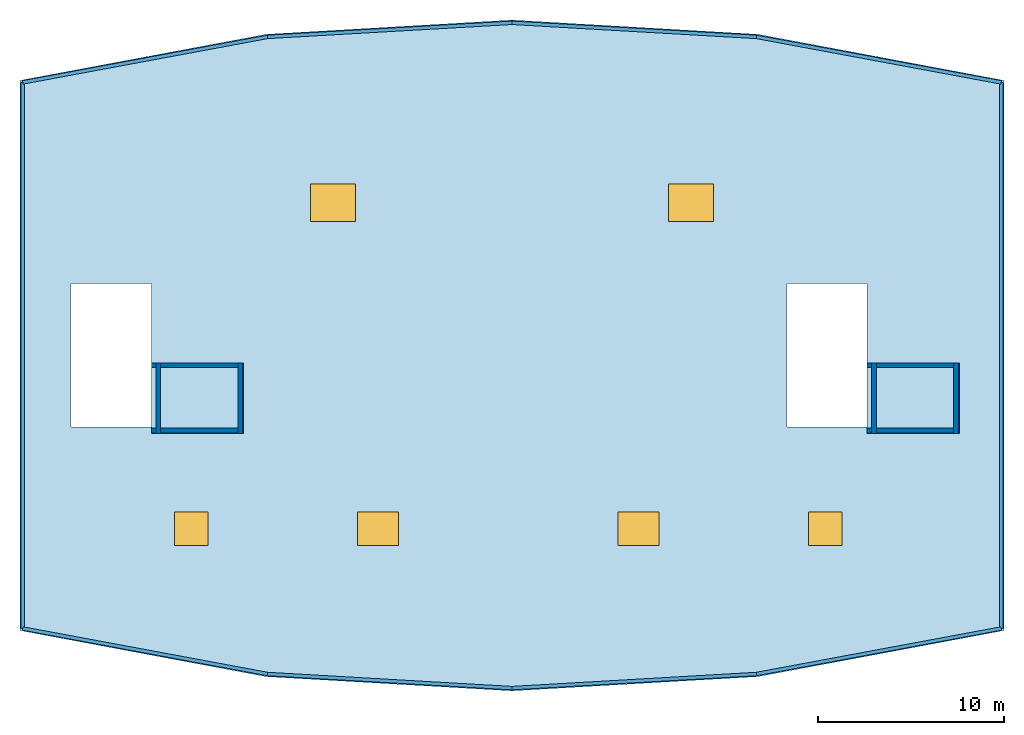
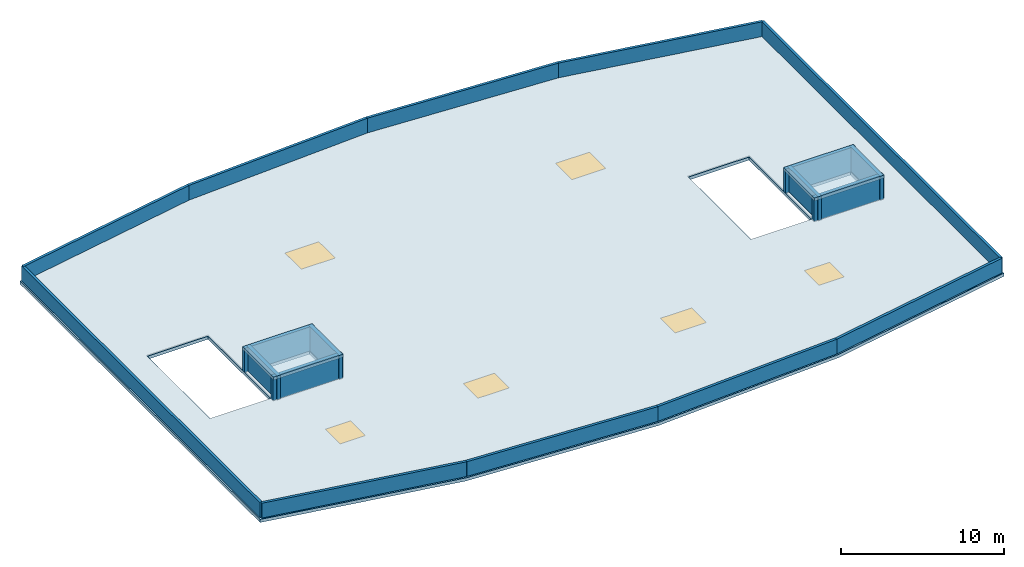
"""IFC4 building model written with IfcOpenShell, lengths in metres."""

from ifc_helpers import new_model, si_unit, direction, frame, frame_2d, origin, origin_2d, place, context, subcontext, project, spatial, polyline, rectangle, outline, extrude, material, layer, layer_set, type_object, element, fill, save


model = new_model("IFC4")

# Units and contexts
model_context = context("Model", 3, precision=1e-05, world=origin(), true_north=direction((0.0, 1.0)))
body_context = subcontext(model_context, "Body", "Model", "MODEL_VIEW")
ifc_project = project(units=[si_unit("LENGTHUNIT", "METRE"), si_unit("AREAUNIT", "SQUARE_METRE"), si_unit("VOLUMEUNIT", "CUBIC_METRE"), si_unit("PLANEANGLEUNIT", "RADIAN"), si_unit("MASSUNIT", "GRAM", prefix="KILO")], contexts=[model_context])

# Site, building, storey
site_placement = place(None, origin())
site = spatial("IfcSite", under=ifc_project, at=site_placement, CompositionType="ELEMENT")
building_placement = place(site_placement, origin())
building = spatial("IfcBuilding", under=site, at=building_placement, Name="Kolvemor Railside Polytechnic", CompositionType="ELEMENT")
storey_1_placement = place(building_placement, frame((0.0, 0.0, 31.800048828125)))
storey_1 = spatial("IfcBuildingStorey", under=building, at=storey_1_placement, Name="RF", CompositionType="ELEMENT", Elevation=31.800048828125)

# Slab, openings
ifc_material_1 = material(Name="Cross-laminated timber CLT E1", Category="wood")
ifc_layer_1 = layer(ifc_material_1, 0.235107421875, Name="SLB-TOP-ROOF")
ifc_layer_set_1 = layer_set([ifc_layer_1], Name="Cross-laminated timber CLT E1")
slab_type = type_object("IfcSlabType", Name="SLB-TOP-ROOF", PredefinedType="ROOF", material=ifc_layer_set_1)
slab_1_placement = place(storey_1_placement, frame((0.0, 0.0, -0.235107421875)))
slab_1 = element("IfcSlab", 1, at=slab_1_placement, inside=storey_1, type_object=slab_type, Name="Learning Commons Parametric Curved Roof Slab", PredefinedType="ROOF", context=body_context, shape_type="SweptSolid", body=[
    extrude(outline(polyline([(64.800048828125, 11.0400390625), (78.0, 8.56591796875), (91.199951171875, 7.800048828125), (104.39990234375, 8.56591796875), (117.60009765625, 11.0400390625), (117.60009765625, 40.56005859375), (104.39990234375, 43.033935546875), (91.199951171875, 43.800048828125), (78.0, 43.033935546875), (64.800048828125, 40.56005859375), (64.800048828125, 11.0400390625)]), holes=[polyline([(67.550048828125, 21.949951171875), (71.85009765625, 21.949951171875), (71.85009765625, 29.64990234375), (67.550048828125, 29.64990234375), (67.550048828125, 21.949951171875)]), polyline([(72.10009765625, 21.949951171875), (76.449951171875, 21.949951171875), (76.449951171875, 25.14990234375), (72.10009765625, 25.14990234375), (72.10009765625, 21.949951171875)]), polyline([(105.949951171875, 21.949951171875), (110.25, 21.949951171875), (110.25, 29.64990234375), (105.949951171875, 29.64990234375), (105.949951171875, 21.949951171875)]), polyline([(110.5, 21.949951171875), (114.85009765625, 21.949951171875), (114.85009765625, 25.14990234375), (110.5, 25.14990234375), (110.5, 21.949951171875)]), polyline([(73.10009765625, 15.60009765625), (74.89990234375, 15.60009765625), (74.89990234375, 17.39990234375), (73.10009765625, 17.39990234375), (73.10009765625, 15.60009765625)]), polyline([(82.89990234375, 15.60009765625), (85.10009765625, 15.60009765625), (85.10009765625, 17.39990234375), (82.89990234375, 17.39990234375), (82.89990234375, 15.60009765625)]), polyline([(96.89990234375, 15.60009765625), (99.10009765625, 15.60009765625), (99.10009765625, 17.39990234375), (96.89990234375, 17.39990234375), (96.89990234375, 15.60009765625)]), polyline([(107.10009765625, 15.60009765625), (108.89990234375, 15.60009765625), (108.89990234375, 17.39990234375), (107.10009765625, 17.39990234375), (107.10009765625, 15.60009765625)]), polyline([(80.39990234375, 33.0), (82.800048828125, 33.0), (82.800048828125, 35.0), (80.39990234375, 35.0), (80.39990234375, 33.0)]), polyline([(99.60009765625, 33.0), (102.0, 33.0), (102.0, 35.0), (99.60009765625, 35.0), (99.60009765625, 33.0)])]), origin(), (0.0, 0.0, 1.0), 0.235107421875),
])
opening_1_placement = place(slab_1_placement, frame((74.0, 16.5, 0.0)))
opening_1 = element("IfcOpeningElement", 2, at=opening_1_placement, cuts=slab_1, Name="Opening SKY-1", PredefinedType="OPENING", context=body_context, shape_type="SweptSolid", body=[
    extrude(rectangle(XDim=1.800048828125, YDim=1.800048828125, at=origin_2d()), origin(), (0.0, 0.0, 1.0), 0.235107421875),
])
opening_2_placement = place(slab_1_placement, frame((84.0, 16.5, 0.0)))
opening_2 = element("IfcOpeningElement", 3, at=opening_2_placement, cuts=slab_1, Name="Opening SKY-2", PredefinedType="OPENING", context=body_context, shape_type="SweptSolid", body=[
    extrude(rectangle(XDim=2.199951171875, YDim=1.800048828125, at=origin_2d()), origin(), (0.0, 0.0, 1.0), 0.235107421875),
])
opening_3_placement = place(slab_1_placement, frame((98.0, 16.5, 0.0)))
opening_3 = element("IfcOpeningElement", 4, at=opening_3_placement, cuts=slab_1, Name="Opening SKY-2", PredefinedType="OPENING", context=body_context, shape_type="SweptSolid", body=[
    extrude(rectangle(XDim=2.199951171875, YDim=1.800048828125, at=origin_2d()), origin(), (0.0, 0.0, 1.0), 0.235107421875),
])
opening_4_placement = place(slab_1_placement, frame((108.0, 16.5, 0.0)))
opening_4 = element("IfcOpeningElement", 5, at=opening_4_placement, cuts=slab_1, Name="Opening SKY-1", PredefinedType="OPENING", context=body_context, shape_type="SweptSolid", body=[
    extrude(rectangle(XDim=1.800048828125, YDim=1.800048828125, at=origin_2d()), origin(), (0.0, 0.0, 1.0), 0.235107421875),
])
opening_5_placement = place(slab_1_placement, frame((81.60009765625, 34.0, 0.0)))
opening_5 = element("IfcOpeningElement", 6, at=opening_5_placement, cuts=slab_1, Name="Opening SKY-3", PredefinedType="OPENING", context=body_context, shape_type="SweptSolid", body=[
    extrude(rectangle(XDim=2.39990234375, YDim=2.0, at=origin_2d()), origin(), (0.0, 0.0, 1.0), 0.235107421875),
])
opening_6_placement = place(slab_1_placement, frame((100.800048828125, 34.0, 0.0)))
opening_6 = element("IfcOpeningElement", 7, at=opening_6_placement, cuts=slab_1, Name="Opening SKY-3", PredefinedType="OPENING", context=body_context, shape_type="SweptSolid", body=[
    extrude(rectangle(XDim=2.39990234375, YDim=2.0, at=origin_2d()), origin(), (0.0, 0.0, 1.0), 0.235107421875),
])

# Storey
storey_2_placement = place(building_placement, frame((0.0, 0.0, 27.0)))
storey_2 = spatial("IfcBuildingStorey", under=building, at=storey_2_placement, Name="L06", CompositionType="ELEMENT", Elevation=27.0)

# Window
ifc_material_2 = material(Name="Hurricane-laminated thermally broken aluminium window", Category="aluminium")
window_type_1 = type_object("IfcWindowType", Name="WN-SKY-180x180", PartitioningType="DOUBLE_PANEL_VERTICAL", PredefinedType="SKYLIGHT", material=ifc_material_2)
window_1_placement = place(opening_1_placement, frame((0.0, 0.0, 0.18505859375)))
window_1 = element("IfcWindow", 8, at=window_1_placement, inside=storey_2, type_object=window_type_1, Name="Commons Roof Skylight SKY-01", OverallHeight=1.800048828125, OverallWidth=1.800048828125, PartitioningType="SINGLE_PANEL", PredefinedType="SKYLIGHT", context=body_context, shape_type="SweptSolid", body=[
    extrude(rectangle(XDim=1.800048828125, YDim=1.800048828125, at=origin_2d()), origin(), (0.0, 0.0, 1.0), 0.050048828125),
])

fill(opening_1, window_1)

window_2_placement = place(opening_4_placement, frame((0.0, 0.0, 0.18505859375)))
window_2 = element("IfcWindow", 9, at=window_2_placement, inside=storey_2, type_object=window_type_1, Name="Commons Roof Skylight SKY-04", OverallHeight=1.800048828125, OverallWidth=1.800048828125, PartitioningType="SINGLE_PANEL", PredefinedType="SKYLIGHT", context=body_context, shape_type="SweptSolid", body=[
    extrude(rectangle(XDim=1.800048828125, YDim=1.800048828125, at=origin_2d()), origin(), (0.0, 0.0, 1.0), 0.050048828125),
])

fill(opening_4, window_2)

ifc_material_3 = material(Name="Hurricane-laminated thermally broken aluminium window", Category="aluminium")
window_type_2 = type_object("IfcWindowType", Name="WN-SKY-220x180", PartitioningType="DOUBLE_PANEL_VERTICAL", PredefinedType="SKYLIGHT", material=ifc_material_3)
window_3_placement = place(opening_2_placement, frame((0.0, 0.0, 0.18505859375)))
window_3 = element("IfcWindow", 10, at=window_3_placement, inside=storey_2, type_object=window_type_2, Name="Commons Roof Skylight SKY-02", OverallHeight=1.800048828125, OverallWidth=2.199951171875, PartitioningType="SINGLE_PANEL", PredefinedType="SKYLIGHT", context=body_context, shape_type="SweptSolid", body=[
    extrude(rectangle(XDim=2.199951171875, YDim=1.800048828125, at=origin_2d()), origin(), (0.0, 0.0, 1.0), 0.050048828125),
])

fill(opening_2, window_3)

window_4_placement = place(opening_3_placement, frame((0.0, 0.0, 0.18505859375)))
window_4 = element("IfcWindow", 11, at=window_4_placement, inside=storey_2, type_object=window_type_2, Name="Commons Roof Skylight SKY-03", OverallHeight=1.800048828125, OverallWidth=2.199951171875, PartitioningType="SINGLE_PANEL", PredefinedType="SKYLIGHT", context=body_context, shape_type="SweptSolid", body=[
    extrude(rectangle(XDim=2.199951171875, YDim=1.800048828125, at=origin_2d()), origin(), (0.0, 0.0, 1.0), 0.050048828125),
])

fill(opening_3, window_4)

ifc_material_4 = material(Name="Hurricane-laminated thermally broken aluminium window", Category="aluminium")
window_type_3 = type_object("IfcWindowType", Name="WN-SKY-240x200", PartitioningType="DOUBLE_PANEL_VERTICAL", PredefinedType="SKYLIGHT", material=ifc_material_4)
window_5_placement = place(opening_5_placement, frame((0.0, 0.0, 0.18505859375)))
window_5 = element("IfcWindow", 12, at=window_5_placement, inside=storey_2, type_object=window_type_3, Name="Commons Roof Skylight SKY-05", OverallHeight=2.0, OverallWidth=2.39990234375, PartitioningType="SINGLE_PANEL", PredefinedType="SKYLIGHT", context=body_context, shape_type="SweptSolid", body=[
    extrude(rectangle(XDim=2.39990234375, YDim=2.0, at=origin_2d()), origin(), (0.0, 0.0, 1.0), 0.050048828125),
])

fill(opening_5, window_5)

window_6_placement = place(opening_6_placement, frame((0.0, 0.0, 0.18505859375)))
window_6 = element("IfcWindow", 13, at=window_6_placement, inside=storey_2, type_object=window_type_3, Name="Commons Roof Skylight SKY-06", OverallHeight=2.0, OverallWidth=2.39990234375, PartitioningType="SINGLE_PANEL", PredefinedType="SKYLIGHT", context=body_context, shape_type="SweptSolid", body=[
    extrude(rectangle(XDim=2.39990234375, YDim=2.0, at=origin_2d()), origin(), (0.0, 0.0, 1.0), 0.050048828125),
])

fill(opening_6, window_6)

# Slabs
slab_2_placement = place(storey_1_placement, frame((0.0, 0.0, 1.56494140625)))
element("IfcSlab", 14, at=slab_2_placement, inside=storey_1, type_object=slab_type, Name="CORE-1 Lift Overrun Cap Slab", PredefinedType="ROOF", context=body_context, shape_type="SweptSolid", body=[
    extrude(outline(polyline([(71.85009765625, 21.60009765625), (76.800048828125, 21.60009765625), (76.800048828125, 25.39990234375), (71.85009765625, 25.39990234375), (71.85009765625, 21.60009765625)])), origin(), (0.0, 0.0, 1.0), 0.235107421875),
])
slab_3_placement = place(storey_1_placement, frame((0.0, 0.0, 1.56494140625)))
element("IfcSlab", 15, at=slab_3_placement, inside=storey_1, type_object=slab_type, Name="CORE-2 Lift Overrun Cap Slab", PredefinedType="ROOF", context=body_context, shape_type="SweptSolid", body=[
    extrude(outline(polyline([(110.25, 21.60009765625), (115.199951171875, 21.60009765625), (115.199951171875, 25.39990234375), (110.25, 25.39990234375), (110.25, 21.60009765625)])), origin(), (0.0, 0.0, 1.0), 0.235107421875),
])

# Walls
ifc_material_5 = material(Name="Cross-laminated timber CLT E1", Category="wood")
ifc_layer_2 = layer(ifc_material_5, 0.18505859375, Name="WL-PAR-185")
ifc_layer_set_2 = layer_set([ifc_layer_2], Name="Cross-laminated timber CLT E1")
wall_type_1 = type_object("IfcWallType", Name="WL-PAR-185", PredefinedType="PARAPET", material=ifc_layer_set_2)
wall_1_placement = place(storey_1_placement, frame((64.949951171875, 11.14990234375, 0.044921875), z_axis=(0.0, 0.0, 1.0), x_axis=(0.983129590623, -0.182910382541, 0.0)))
element("IfcWall", 16, at=wall_1_placement, inside=storey_1, type_object=wall_type_1, Name="Main Roof Curved Parapet Segment 01", PredefinedType="PARAPET", context=body_context, shape_type="SweptSolid", body=[
    extrude(rectangle(XDim=13.350341796875, YDim=0.18505859375, at=frame_2d((6.67529296875, 0.0))), origin(), (0.0, 0.0, 1.0), 1.10498046875),
])
for number, where, z_axis, x_axis, name in (
    (17, (78.074951171875, 8.7080078125, 0.044921875), (0.0, 0.0, 1.0), (0.998336243368, -0.057660603342, 0.0), "Main Roof Curved Parapet Segment 02"),
    (18, (91.199951171875, 7.949951171875, 0.044921875), (0.0, 0.0, 1.0), (0.998336243368, 0.057660603342, 0.0), "Main Roof Curved Parapet Segment 03"),
):
    element("IfcWall", number, at=place(storey_1_placement, frame(where, z_axis=z_axis, x_axis=x_axis)), inside=storey_1, type_object=wall_type_1, Name=name, PredefinedType="PARAPET", context=body_context, shape_type="SweptSolid", body=[
        extrude(rectangle(XDim=13.14697265625, YDim=0.18505859375, at=frame_2d((6.573486328125, 0.0))), origin(), (0.0, 0.0, 1.0), 1.10498046875),
    ])
wall_2_placement = place(storey_1_placement, frame((104.324951171875, 8.7080078125, 0.044921875), z_axis=(0.0, 0.0, 1.0), x_axis=(0.983129590623, 0.182910382541, 0.0)))
element("IfcWall", 19, at=wall_2_placement, inside=storey_1, type_object=wall_type_1, Name="Main Roof Curved Parapet Segment 04", PredefinedType="PARAPET", context=body_context, shape_type="SweptSolid", body=[
    extrude(rectangle(XDim=13.350341796875, YDim=0.18505859375, at=frame_2d((6.67529296875, 0.0))), origin(), (0.0, 0.0, 1.0), 1.10498046875),
])
wall_3_placement = place(storey_1_placement, frame((117.449951171875, 11.14990234375, 0.044921875), z_axis=(0.0, 0.0, 1.0), x_axis=(0.0, 1.0, 0.0)))
element("IfcWall", 20, at=wall_3_placement, inside=storey_1, type_object=wall_type_1, Name="Main Roof Curved Parapet Segment 05", PredefinedType="PARAPET", context=body_context, shape_type="SweptSolid", body=[
    extrude(rectangle(XDim=29.300048828125, YDim=0.18505859375, at=frame_2d((14.64990234375, 0.0))), origin(), (0.0, 0.0, 1.0), 1.10498046875),
])
wall_4_placement = place(storey_1_placement, frame((117.449951171875, 40.449951171875, 0.044921875), z_axis=(0.0, 0.0, 1.0), x_axis=(-0.983126301954, 0.182928058007, 0.0)))
element("IfcWall", 21, at=wall_4_placement, inside=storey_1, type_object=wall_type_1, Name="Main Roof Curved Parapet Segment 06", PredefinedType="PARAPET", context=body_context, shape_type="SweptSolid", body=[
    extrude(rectangle(XDim=13.350341796875, YDim=0.18505859375, at=frame_2d((6.67529296875, 0.0))), origin(), (0.0, 0.0, 1.0), 1.10498046875),
])
for number, where, z_axis, x_axis, name in (
    (22, (104.324951171875, 42.89208984375, 0.044921875), (0.0, 0.0, 1.0), (-0.998337312188, 0.057642094811, 0.0), "Main Roof Curved Parapet Segment 07"),
    (23, (91.199951171875, 43.64990234375, 0.044921875), (0.0, 0.0, 1.0), (-0.998337312188, -0.057642094811, 0.0), "Main Roof Curved Parapet Segment 08"),
):
    element("IfcWall", number, at=place(storey_1_placement, frame(where, z_axis=z_axis, x_axis=x_axis)), inside=storey_1, type_object=wall_type_1, Name=name, PredefinedType="PARAPET", context=body_context, shape_type="SweptSolid", body=[
        extrude(rectangle(XDim=13.14697265625, YDim=0.18505859375, at=frame_2d((6.573486328125, 0.0))), origin(), (0.0, 0.0, 1.0), 1.10498046875),
    ])
wall_5_placement = place(storey_1_placement, frame((78.074951171875, 42.89208984375, 0.044921875), z_axis=(0.0, 0.0, 1.0), x_axis=(-0.983126301954, -0.182928058007, 0.0)))
element("IfcWall", 24, at=wall_5_placement, inside=storey_1, type_object=wall_type_1, Name="Main Roof Curved Parapet Segment 09", PredefinedType="PARAPET", context=body_context, shape_type="SweptSolid", body=[
    extrude(rectangle(XDim=13.350341796875, YDim=0.18505859375, at=frame_2d((6.67529296875, 0.0))), origin(), (0.0, 0.0, 1.0), 1.10498046875),
])
wall_6_placement = place(storey_1_placement, frame((64.949951171875, 40.449951171875, 0.044921875), z_axis=(0.0, 0.0, 1.0), x_axis=(0.0, -1.0, 0.0)))
element("IfcWall", 25, at=wall_6_placement, inside=storey_1, type_object=wall_type_1, Name="Main Roof Curved Parapet Segment 10", PredefinedType="PARAPET", context=body_context, shape_type="SweptSolid", body=[
    extrude(rectangle(XDim=29.300048828125, YDim=0.18505859375, at=frame_2d((14.64990234375, 0.0))), origin(), (0.0, 0.0, 1.0), 1.10498046875),
])
ifc_material_6 = material(Name="Concrete C40/50", Category="concrete")
ifc_layer_3 = layer(ifc_material_6, 0.25, Name="WL-SHFT-250")
ifc_layer_set_3 = layer_set([ifc_layer_3], Name="Concrete C40/50")
wall_type_2 = type_object("IfcWallType", Name="WL-SHFT-250", PredefinedType="SHEAR", material=ifc_layer_set_3)
for number, where, z_axis, x_axis, name in (
    (26, (71.85009765625, 25.27490234375, 0.0), (0.0, 0.0, 1.0), (1.0, 0.0, 0.0), "CORE-1 Lift Overrun Wall N"),
    (27, (71.85009765625, 21.77490234375, 0.0), (0.0, 0.0, 1.0), (1.0, 0.0, 0.0), "CORE-1 Lift Overrun Wall S"),
):
    element("IfcWall", number, at=place(storey_1_placement, frame(where, z_axis=z_axis, x_axis=x_axis)), inside=storey_1, type_object=wall_type_2, Name=name, PredefinedType="SHEAR", context=body_context, shape_type="SweptSolid", body=[
        extrude(rectangle(XDim=4.949951171875, YDim=0.25, at=frame_2d((2.47509765625, 0.0))), origin(), (0.0, 0.0, 1.0), 1.800048828125),
    ])
for number, where, z_axis, x_axis, name in (
    (28, (72.22509765625, 21.60009765625, 0.0), (0.0, 0.0, 1.0), (0.0, 1.0, 0.0), "CORE-1 Lift Overrun Wall W"),
    (29, (76.625, 21.60009765625, 0.0), (0.0, 0.0, 1.0), (0.0, 1.0, 0.0), "CORE-1 Lift Overrun Wall E"),
):
    element("IfcWall", number, at=place(storey_1_placement, frame(where, z_axis=z_axis, x_axis=x_axis)), inside=storey_1, type_object=wall_type_2, Name=name, PredefinedType="SHEAR", context=body_context, shape_type="SweptSolid", body=[
        extrude(rectangle(XDim=3.7998046875, YDim=0.25, at=frame_2d((1.89990234375, 0.0))), origin(), (0.0, 0.0, 1.0), 1.800048828125),
    ])
for number, where, z_axis, x_axis, name in (
    (30, (110.25, 25.27490234375, 0.0), (0.0, 0.0, 1.0), (1.0, 0.0, 0.0), "CORE-2 Lift Overrun Wall N"),
    (31, (110.25, 21.77490234375, 0.0), (0.0, 0.0, 1.0), (1.0, 0.0, 0.0), "CORE-2 Lift Overrun Wall S"),
):
    element("IfcWall", number, at=place(storey_1_placement, frame(where, z_axis=z_axis, x_axis=x_axis)), inside=storey_1, type_object=wall_type_2, Name=name, PredefinedType="SHEAR", context=body_context, shape_type="SweptSolid", body=[
        extrude(rectangle(XDim=4.949951171875, YDim=0.25, at=frame_2d((2.47509765625, 0.0))), origin(), (0.0, 0.0, 1.0), 1.800048828125),
    ])
for number, where, z_axis, x_axis, name in (
    (32, (110.625, 21.60009765625, 0.0), (0.0, 0.0, 1.0), (0.0, 1.0, 0.0), "CORE-2 Lift Overrun Wall W"),
    (33, (115.02490234375, 21.60009765625, 0.0), (0.0, 0.0, 1.0), (0.0, 1.0, 0.0), "CORE-2 Lift Overrun Wall E"),
):
    element("IfcWall", number, at=place(storey_1_placement, frame(where, z_axis=z_axis, x_axis=x_axis)), inside=storey_1, type_object=wall_type_2, Name=name, PredefinedType="SHEAR", context=body_context, shape_type="SweptSolid", body=[
        extrude(rectangle(XDim=3.7998046875, YDim=0.25, at=frame_2d((1.89990234375, 0.0))), origin(), (0.0, 0.0, 1.0), 1.800048828125),
    ])

save(model, "model.ifc")
